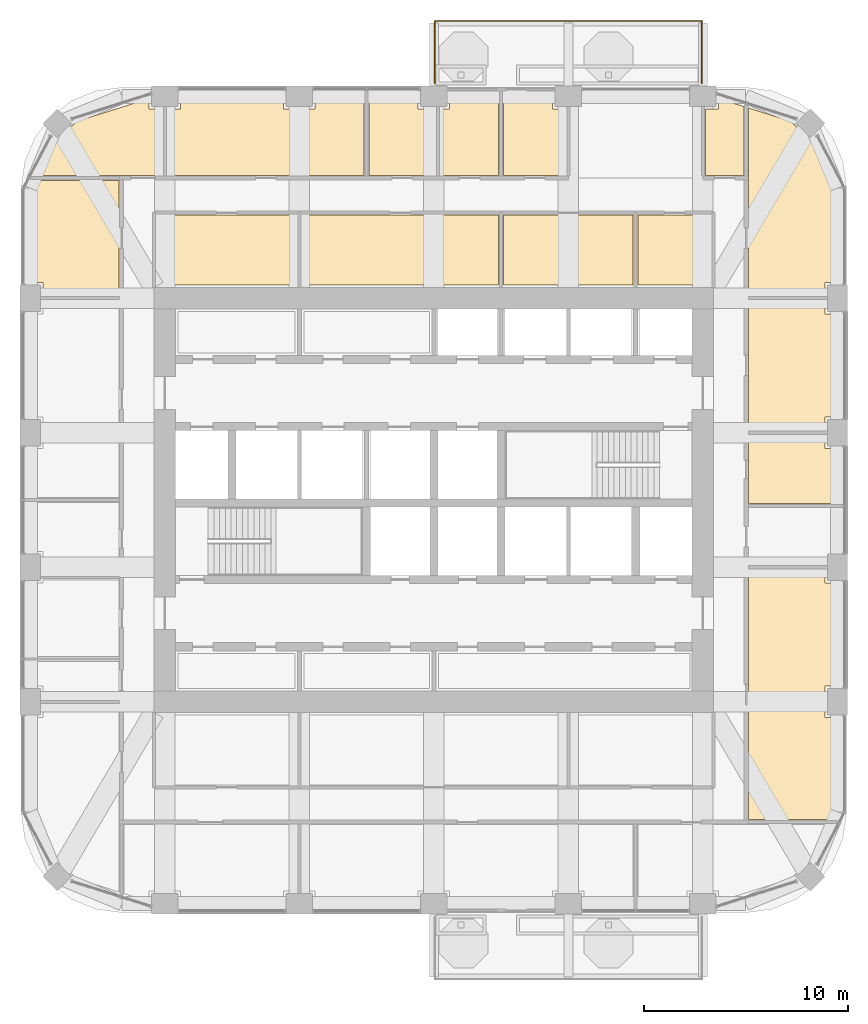
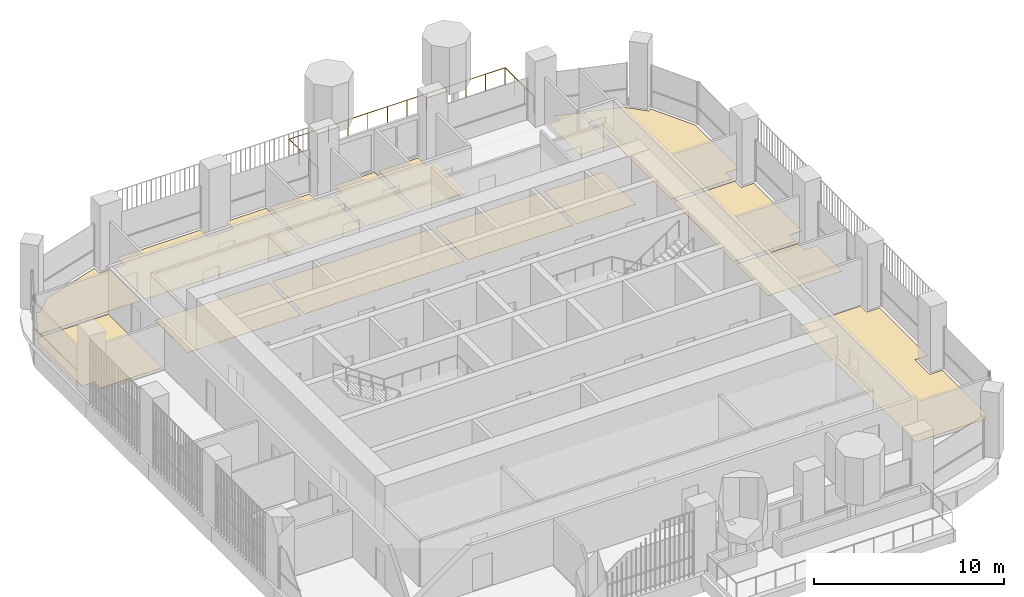
# One storey, part 20 of 21: 15 coverings, 1 railing.
"""IFC4 building model written with IfcOpenShell, lengths in metres."""

from ifc_helpers import new_model, si_unit, direction, frame, origin, place, context, subcontext, project, spatial, polyline, outline, extrude, material, layer, layer_set, type_object, element, save


model = new_model("IFC4")

# Units and contexts
model_context = context("Model", 3, precision=1e-05, world=origin(), true_north=direction((0.0, 1.0)))
body_context = subcontext(model_context, "Body", "Model", "MODEL_VIEW")
ifc_project = project(units=[si_unit("LENGTHUNIT", "METRE"), si_unit("AREAUNIT", "SQUARE_METRE"), si_unit("VOLUMEUNIT", "CUBIC_METRE"), si_unit("PLANEANGLEUNIT", "RADIAN"), si_unit("MASSUNIT", "GRAM", prefix="KILO")], contexts=[model_context])

# Site, building, storey
site_placement = place(None, origin())
site = spatial("IfcSite", under=ifc_project, at=site_placement, CompositionType="ELEMENT")
building_placement = place(site_placement, origin())
building = spatial("IfcBuilding", under=site, at=building_placement, Name="Cobogo Forest Laboratory Tower", CompositionType="ELEMENT")
storey_placement = place(building_placement, frame((0.0, 0.0, 241.800048828125)))
storey = spatial("IfcBuildingStorey", under=building, at=storey_placement, Name="L55", CompositionType="ELEMENT", Elevation=241.800048828125)

# Railing
ifc_material_1 = material(Name="Laminated glass balustrade", Category="glass")
railing_type = type_object("IfcRailingType", Name="BG1 glass balustrade 1100", PredefinedType="GUARDRAIL", material=ifc_material_1)
railing_placement = place(storey_placement, frame((26.449951171875, 43.550048828125, 0.0)))
element("IfcRailing", 1, at=railing_placement, inside=storey, type_object=railing_type, Name="Balcony balustrade BAL-N1 L55", PredefinedType="GUARDRAIL", context=body_context, shape_type="SweptSolid", body=[
    extrude(outline(polyline([(0.022216796875, 0.00927734375), (0.00927734375, 0.022216796875), (-0.00927734375, 0.022216796875), (-0.022216796875, 0.00927734375), (-0.022216796875, -0.00927734375), (-0.00927734375, -0.022216796875), (0.00927734375, -0.022216796875), (0.022216796875, -0.00927734375), (0.022216796875, 0.00927734375)])), frame((0.0, 0.0, 1.077880859375), z_axis=(0.0, 1.0, 0.0), x_axis=(-1.0, 0.0, 0.0)), (0.0, 0.0, 1.0), 3.050048828125),
    extrude(outline(polyline([(0.022216796875, 0.00927734375), (0.00927734375, 0.022216796875), (-0.00927734375, 0.022216796875), (-0.022216796875, 0.00927734375), (-0.022216796875, -0.00927734375), (-0.00927734375, -0.022216796875), (0.00927734375, -0.022216796875), (0.022216796875, -0.00927734375), (0.022216796875, 0.00927734375)])), frame((0.0, 3.050048828125, 1.077880859375), z_axis=(1.0, 0.0, 0.0), x_axis=(0.0, 1.0, 0.0)), (0.0, 0.0, 1.0), 13.10009765625),
    extrude(outline(polyline([(0.022216796875, 0.00927734375), (0.00927734375, 0.022216796875), (-0.00927734375, 0.022216796875), (-0.022216796875, 0.00927734375), (-0.022216796875, -0.00927734375), (-0.00927734375, -0.022216796875), (0.00927734375, -0.022216796875), (0.022216796875, -0.00927734375), (0.022216796875, 0.00927734375)])), frame((13.10009765625, 3.050048828125, 1.077880859375), z_axis=(0.0, -1.0, 0.0), x_axis=(1.0, 0.0, 0.0)), (0.0, 0.0, 1.0), 3.050048828125),
    extrude(outline(polyline([(0.019287109375, 0.008056640625), (0.008056640625, 0.019287109375), (-0.008056640625, 0.019287109375), (-0.019287109375, 0.008056640625), (-0.019287109375, -0.008056640625), (-0.008056640625, -0.019287109375), (0.008056640625, -0.019287109375), (0.019287109375, -0.008056640625), (0.019287109375, 0.008056640625)])), origin(), (0.0, 0.0, 1.0), 1.077880859375),
    extrude(outline(polyline([(0.019287109375, 0.008056640625), (0.008056640625, 0.019287109375), (-0.008056640625, 0.019287109375), (-0.019287109375, 0.008056640625), (-0.019287109375, -0.008056640625), (-0.008056640625, -0.019287109375), (0.008056640625, -0.019287109375), (0.019287109375, -0.008056640625), (0.019287109375, 0.008056640625)])), frame((0.0, 1.0166015625, 0.0)), (0.0, 0.0, 1.0), 1.077880859375),
    extrude(outline(polyline([(0.019287109375, 0.008056640625), (0.008056640625, 0.019287109375), (-0.008056640625, 0.019287109375), (-0.019287109375, 0.008056640625), (-0.019287109375, -0.008056640625), (-0.008056640625, -0.019287109375), (0.008056640625, -0.019287109375), (0.019287109375, -0.008056640625), (0.019287109375, 0.008056640625)])), frame((0.0, 2.033447265625, 0.0)), (0.0, 0.0, 1.0), 1.077880859375),
    extrude(outline(polyline([(0.019287109375, 0.008056640625), (0.008056640625, 0.019287109375), (-0.008056640625, 0.019287109375), (-0.019287109375, 0.008056640625), (-0.019287109375, -0.008056640625), (-0.008056640625, -0.019287109375), (0.008056640625, -0.019287109375), (0.019287109375, -0.008056640625), (0.019287109375, 0.008056640625)])), frame((0.0, 3.050048828125, 0.0)), (0.0, 0.0, 1.0), 1.077880859375),
    extrude(outline(polyline([(0.019287109375, 0.008056640625), (0.008056640625, 0.019287109375), (-0.008056640625, 0.019287109375), (-0.019287109375, 0.008056640625), (-0.019287109375, -0.008056640625), (-0.008056640625, -0.019287109375), (0.008056640625, -0.019287109375), (0.019287109375, -0.008056640625), (0.019287109375, 0.008056640625)])), frame((1.19091796875, 3.050048828125, 0.0)), (0.0, 0.0, 1.0), 1.077880859375),
    extrude(outline(polyline([(0.019287109375, 0.008056640625), (0.008056640625, 0.019287109375), (-0.008056640625, 0.019287109375), (-0.019287109375, 0.008056640625), (-0.019287109375, -0.008056640625), (-0.008056640625, -0.019287109375), (0.008056640625, -0.019287109375), (0.019287109375, -0.008056640625), (0.019287109375, 0.008056640625)])), frame((2.3818359375, 3.050048828125, 0.0)), (0.0, 0.0, 1.0), 1.077880859375),
    extrude(outline(polyline([(0.019287109375, 0.008056640625), (0.008056640625, 0.019287109375), (-0.008056640625, 0.019287109375), (-0.019287109375, 0.008056640625), (-0.019287109375, -0.008056640625), (-0.008056640625, -0.019287109375), (0.008056640625, -0.019287109375), (0.019287109375, -0.008056640625), (0.019287109375, 0.008056640625)])), frame((3.57275390625, 3.050048828125, 0.0)), (0.0, 0.0, 1.0), 1.077880859375),
    extrude(outline(polyline([(0.019287109375, 0.008056640625), (0.008056640625, 0.019287109375), (-0.008056640625, 0.019287109375), (-0.019287109375, 0.008056640625), (-0.019287109375, -0.008056640625), (-0.008056640625, -0.019287109375), (0.008056640625, -0.019287109375), (0.019287109375, -0.008056640625), (0.019287109375, 0.008056640625)])), frame((4.763671875, 3.050048828125, 0.0)), (0.0, 0.0, 1.0), 1.077880859375),
    extrude(outline(polyline([(0.019287109375, 0.008056640625), (0.008056640625, 0.019287109375), (-0.008056640625, 0.019287109375), (-0.019287109375, 0.008056640625), (-0.019287109375, -0.008056640625), (-0.008056640625, -0.019287109375), (0.008056640625, -0.019287109375), (0.019287109375, -0.008056640625), (0.019287109375, 0.008056640625)])), frame((5.95458984375, 3.050048828125, 0.0)), (0.0, 0.0, 1.0), 1.077880859375),
    extrude(outline(polyline([(0.019287109375, 0.008056640625), (0.008056640625, 0.019287109375), (-0.008056640625, 0.019287109375), (-0.019287109375, 0.008056640625), (-0.019287109375, -0.008056640625), (-0.008056640625, -0.019287109375), (0.008056640625, -0.019287109375), (0.019287109375, -0.008056640625), (0.019287109375, 0.008056640625)])), frame((7.1455078125, 3.050048828125, 0.0)), (0.0, 0.0, 1.0), 1.077880859375),
    extrude(outline(polyline([(0.019287109375, 0.008056640625), (0.008056640625, 0.019287109375), (-0.008056640625, 0.019287109375), (-0.019287109375, 0.008056640625), (-0.019287109375, -0.008056640625), (-0.008056640625, -0.019287109375), (0.008056640625, -0.019287109375), (0.019287109375, -0.008056640625), (0.019287109375, 0.008056640625)])), frame((8.33642578125, 3.050048828125, 0.0)), (0.0, 0.0, 1.0), 1.077880859375),
    extrude(outline(polyline([(0.019287109375, 0.008056640625), (0.008056640625, 0.019287109375), (-0.008056640625, 0.019287109375), (-0.019287109375, 0.008056640625), (-0.019287109375, -0.008056640625), (-0.008056640625, -0.019287109375), (0.008056640625, -0.019287109375), (0.019287109375, -0.008056640625), (0.019287109375, 0.008056640625)])), frame((9.52734375, 3.050048828125, 0.0)), (0.0, 0.0, 1.0), 1.077880859375),
    extrude(outline(polyline([(0.019287109375, 0.008056640625), (0.008056640625, 0.019287109375), (-0.008056640625, 0.019287109375), (-0.019287109375, 0.008056640625), (-0.019287109375, -0.008056640625), (-0.008056640625, -0.019287109375), (0.008056640625, -0.019287109375), (0.019287109375, -0.008056640625), (0.019287109375, 0.008056640625)])), frame((10.71826171875, 3.050048828125, 0.0)), (0.0, 0.0, 1.0), 1.077880859375),
    extrude(outline(polyline([(0.019287109375, 0.008056640625), (0.008056640625, 0.019287109375), (-0.008056640625, 0.019287109375), (-0.019287109375, 0.008056640625), (-0.019287109375, -0.008056640625), (-0.008056640625, -0.019287109375), (0.008056640625, -0.019287109375), (0.019287109375, -0.008056640625), (0.019287109375, 0.008056640625)])), frame((11.9091796875, 3.050048828125, 0.0)), (0.0, 0.0, 1.0), 1.077880859375),
    extrude(outline(polyline([(0.019287109375, 0.008056640625), (0.008056640625, 0.019287109375), (-0.008056640625, 0.019287109375), (-0.019287109375, 0.008056640625), (-0.019287109375, -0.008056640625), (-0.008056640625, -0.019287109375), (0.008056640625, -0.019287109375), (0.019287109375, -0.008056640625), (0.019287109375, 0.008056640625)])), frame((13.10009765625, 3.050048828125, 0.0)), (0.0, 0.0, 1.0), 1.077880859375),
    extrude(outline(polyline([(0.019287109375, 0.008056640625), (0.008056640625, 0.019287109375), (-0.008056640625, 0.019287109375), (-0.019287109375, 0.008056640625), (-0.019287109375, -0.008056640625), (-0.008056640625, -0.019287109375), (0.008056640625, -0.019287109375), (0.019287109375, -0.008056640625), (0.019287109375, 0.008056640625)])), frame((13.10009765625, 2.033447265625, 0.0)), (0.0, 0.0, 1.0), 1.077880859375),
    extrude(outline(polyline([(0.019287109375, 0.008056640625), (0.008056640625, 0.019287109375), (-0.008056640625, 0.019287109375), (-0.019287109375, 0.008056640625), (-0.019287109375, -0.008056640625), (-0.008056640625, -0.019287109375), (0.008056640625, -0.019287109375), (0.019287109375, -0.008056640625), (0.019287109375, 0.008056640625)])), frame((13.10009765625, 1.0166015625, 0.0)), (0.0, 0.0, 1.0), 1.077880859375),
    extrude(outline(polyline([(0.019287109375, 0.008056640625), (0.008056640625, 0.019287109375), (-0.008056640625, 0.019287109375), (-0.019287109375, 0.008056640625), (-0.019287109375, -0.008056640625), (-0.008056640625, -0.019287109375), (0.008056640625, -0.019287109375), (0.019287109375, -0.008056640625), (0.019287109375, 0.008056640625)])), frame((13.10009765625, 0.0, 0.0)), (0.0, 0.0, 1.0), 1.077880859375),
])

# Coverings
ifc_material_2 = material(Name="Carpet tile on raised access floor", Category="flooring")
ifc_layer_1 = layer(ifc_material_2, 0.008056640625)
ifc_layer_set_1 = layer_set([ifc_layer_1], Name="CT1 carpet tile floor 8")
covering_type_1 = type_object("IfcCoveringType", Name="CT1 carpet tile floor 8", PredefinedType="FLOORING", material=ifc_layer_set_1)
covering_1_placement = place(storey_placement, origin())
element("IfcCovering", 2, at=covering_1_placement, inside=storey, type_object=covering_type_1, Name="Carpet floor L55-01", PredefinedType="FLOORING", context=body_context, shape_type="SweptSolid", body=[
    extrude(outline(polyline([(19.679931640625, 33.64501953125), (12.794921875, 33.64501953125), (12.794921875, 37.080078125), (19.679931640625, 37.080078125), (19.679931640625, 33.64501953125)])), origin(), (0.0, 0.0, 1.0), 0.008056640625),
])
covering_2_placement = place(storey_placement, origin())
element("IfcCovering", 3, at=covering_2_placement, inside=storey, type_object=covering_type_1, Name="Carpet floor L55-02", PredefinedType="FLOORING", context=body_context, shape_type="SweptSolid", body=[
    extrude(outline(polyline([(29.580078125, 33.64501953125), (19.919921875, 33.64501953125), (19.919921875, 37.080078125), (29.580078125, 37.080078125), (29.580078125, 33.64501953125)])), origin(), (0.0, 0.0, 1.0), 0.008056640625),
])
covering_3_placement = place(storey_placement, origin())
element("IfcCovering", 4, at=covering_3_placement, inside=storey, type_object=covering_type_1, Name="Carpet floor L55-03", PredefinedType="FLOORING", context=body_context, shape_type="SweptSolid", body=[
    extrude(outline(polyline([(36.179931640625, 33.64501953125), (29.820068359375, 33.64501953125), (29.820068359375, 37.080078125), (36.179931640625, 37.080078125), (36.179931640625, 33.64501953125)])), origin(), (0.0, 0.0, 1.0), 0.008056640625),
])
covering_4_placement = place(storey_placement, origin())
element("IfcCovering", 5, at=covering_4_placement, inside=storey, type_object=covering_type_1, Name="Carpet floor L55-04", PredefinedType="FLOORING", context=body_context, shape_type="SweptSolid", body=[
    extrude(outline(polyline([(40.0048828125, 33.64501953125), (36.419921875, 33.64501953125), (36.419921875, 37.080078125), (40.0048828125, 37.080078125), (40.0048828125, 33.64501953125)])), origin(), (0.0, 0.0, 1.0), 0.008056640625),
])
covering_5_placement = place(storey_placement, origin())
element("IfcCovering", 6, at=covering_5_placement, inside=storey, type_object=covering_type_1, Name="Carpet floor L55-11", PredefinedType="FLOORING", context=body_context, shape_type="SweptSolid", body=[
    extrude(outline(polyline([(41.844970703125, 19.679931640625), (45.580078125, 19.679931640625), (45.580078125, 19.030029296875), (46.35009765625, 19.030029296875), (46.35009765625, 13.969970703125), (45.580078125, 13.969970703125), (45.580078125, 12.429931640625), (46.35009765625, 12.429931640625), (46.35009765625, 7.84912109375), (46.125, 7.419921875), (41.844970703125, 7.419921875), (41.844970703125, 19.679931640625)])), origin(), (0.0, 0.0, 1.0), 0.008056640625),
])
covering_6_placement = place(storey_placement, origin())
element("IfcCovering", 7, at=covering_6_placement, inside=storey, type_object=covering_type_1, Name="Carpet floor L55-14", PredefinedType="FLOORING", context=body_context, shape_type="SweptSolid", body=[
    extrude(outline(polyline([(41.844970703125, 32.8798828125), (45.580078125, 32.8798828125), (45.580078125, 32.22998046875), (46.35009765625, 32.22998046875), (46.35009765625, 27.169921875), (45.580078125, 27.169921875), (45.580078125, 26.52001953125), (41.844970703125, 26.52001953125), (41.844970703125, 32.8798828125)])), origin(), (0.0, 0.0, 1.0), 0.008056640625),
])
covering_7_placement = place(storey_placement, origin())
element("IfcCovering", 8, at=covering_7_placement, inside=storey, type_object=covering_type_1, Name="Carpet floor L55-15", PredefinedType="FLOORING", context=body_context, shape_type="SweptSolid", body=[
    extrude(outline(polyline([(41.844970703125, 42.331298828125), (44.05615234375, 41.633056640625), (44.005126953125, 41.58203125), (44.882080078125, 40.705078125), (45.035400390625, 40.858642578125), (46.35009765625, 38.350830078125), (46.35009765625, 33.77001953125), (45.580078125, 33.77001953125), (45.580078125, 33.1201171875), (41.844970703125, 33.1201171875), (41.844970703125, 42.331298828125)])), origin(), (0.0, 0.0, 1.0), 0.008056640625),
])
covering_8_placement = place(storey_placement, origin())
element("IfcCovering", 9, at=covering_8_placement, inside=storey, type_object=covering_type_1, Name="Carpet floor L55-17", PredefinedType="FLOORING", context=body_context, shape_type="SweptSolid", body=[
    extrude(outline(polyline([(13.320068359375, 39.02001953125), (13.320068359375, 42.280029296875), (13.969970703125, 42.280029296875), (13.969970703125, 43.050048828125), (19.030029296875, 43.050048828125), (19.030029296875, 42.280029296875), (20.570068359375, 42.280029296875), (20.570068359375, 43.050048828125), (22.97998046875, 43.050048828125), (22.97998046875, 39.02001953125), (13.320068359375, 39.02001953125)])), origin(), (0.0, 0.0, 1.0), 0.008056640625),
])
covering_9_placement = place(storey_placement, origin())
element("IfcCovering", 10, at=covering_9_placement, inside=storey, type_object=covering_type_1, Name="Carpet floor L55-18", PredefinedType="FLOORING", context=body_context, shape_type="SweptSolid", body=[
    extrude(outline(polyline([(23.219970703125, 39.02001953125), (23.219970703125, 43.050048828125), (25.6298828125, 43.050048828125), (25.6298828125, 42.280029296875), (26.47998046875, 42.280029296875), (26.47998046875, 39.02001953125), (23.219970703125, 39.02001953125)])), origin(), (0.0, 0.0, 1.0), 0.008056640625),
])
covering_10_placement = place(storey_placement, origin())
element("IfcCovering", 11, at=covering_10_placement, inside=storey, type_object=covering_type_1, Name="Carpet floor L55-20", PredefinedType="FLOORING", context=body_context, shape_type="SweptSolid", body=[
    extrude(outline(polyline([(29.820068359375, 39.02001953125), (29.820068359375, 43.050048828125), (32.22998046875, 43.050048828125), (32.22998046875, 42.280029296875), (32.8798828125, 42.280029296875), (32.8798828125, 39.02001953125), (29.820068359375, 39.02001953125)])), origin(), (0.0, 0.0, 1.0), 0.008056640625),
])
covering_11_placement = place(storey_placement, origin())
element("IfcCovering", 12, at=covering_11_placement, inside=storey, type_object=covering_type_1, Name="Carpet floor L55-21", PredefinedType="FLOORING", context=body_context, shape_type="SweptSolid", body=[
    extrude(outline(polyline([(39.719970703125, 39.02001953125), (39.719970703125, 42.280029296875), (40.3701171875, 42.280029296875), (40.3701171875, 42.797119140625), (41.60498046875, 42.406982421875), (41.60498046875, 39.02001953125), (39.719970703125, 39.02001953125)])), origin(), (0.0, 0.0, 1.0), 0.008056640625),
])
covering_12_placement = place(storey_placement, origin())
element("IfcCovering", 13, at=covering_12_placement, inside=storey, type_object=covering_type_1, Name="Carpet floor L55-27", PredefinedType="FLOORING", context=body_context, shape_type="SweptSolid", body=[
    extrude(outline(polyline([(10.955078125, 33.1201171875), (7.219970703125, 33.1201171875), (7.219970703125, 33.77001953125), (6.449951171875, 33.77001953125), (6.449951171875, 38.350830078125), (6.675048828125, 38.780029296875), (10.955078125, 38.780029296875), (10.955078125, 33.1201171875)])), origin(), (0.0, 0.0, 1.0), 0.008056640625),
])
ifc_material_3 = material(Name="Epoxy resin flooring", Category="flooring")
ifc_layer_2 = layer(ifc_material_3, 0.00390625)
ifc_layer_set_2 = layer_set([ifc_layer_2], Name="LF1 epoxy laboratory floor 4")
covering_type_2 = type_object("IfcCoveringType", Name="LF1 epoxy laboratory floor 4", PredefinedType="FLOORING", material=ifc_layer_set_2)
covering_13_placement = place(storey_placement, origin())
element("IfcCovering", 14, at=covering_13_placement, inside=storey, type_object=covering_type_2, Name="Epoxy laboratory floor L55-16", PredefinedType="FLOORING", context=body_context, shape_type="SweptSolid", body=[
    extrude(outline(polyline([(6.80078125, 39.02001953125), (7.7646484375, 40.858642578125), (7.91796875, 40.705078125), (8.794921875, 41.58203125), (8.743896484375, 41.633056640625), (12.429931640625, 42.797119140625), (12.429931640625, 42.280029296875), (13.080078125, 42.280029296875), (13.080078125, 39.02001953125), (6.80078125, 39.02001953125)])), origin(), (0.0, 0.0, 1.0), 0.00390625),
])
ifc_material_4 = material(Name="Static-dissipative vinyl flooring", Category="flooring")
ifc_layer_3 = layer(ifc_material_4, 0.0029296875)
ifc_layer_set_3 = layer_set([ifc_layer_3], Name="SD1 static-dissipative vinyl floor 3")
covering_type_3 = type_object("IfcCoveringType", Name="SD1 static-dissipative vinyl floor 3", PredefinedType="FLOORING", material=ifc_layer_set_3)
covering_14_placement = place(storey_placement, origin())
element("IfcCovering", 15, at=covering_14_placement, inside=storey, type_object=covering_type_3, Name="Static-dissipative floor L55-13", PredefinedType="FLOORING", context=body_context, shape_type="SweptSolid", body=[
    extrude(outline(polyline([(41.844970703125, 26.280029296875), (45.580078125, 26.280029296875), (45.580078125, 25.6298828125), (46.35009765625, 25.6298828125), (46.35009765625, 22.919921875), (41.844970703125, 22.919921875), (41.844970703125, 26.280029296875)])), origin(), (0.0, 0.0, 1.0), 0.0029296875),
])
ifc_material_5 = material(Name="Ceramic floor tile", Category="flooring")
ifc_layer_4 = layer(ifc_material_5, 0.010009765625)
ifc_layer_set_4 = layer_set([ifc_layer_4], Name="TF1 ceramic tile floor 10")
covering_type_4 = type_object("IfcCoveringType", Name="TF1 ceramic tile floor 10", PredefinedType="FLOORING", material=ifc_layer_set_4)
covering_15_placement = place(storey_placement, origin())
element("IfcCovering", 16, at=covering_15_placement, inside=storey, type_object=covering_type_4, Name="Tile floor L55-19", PredefinedType="FLOORING", context=body_context, shape_type="SweptSolid", body=[
    extrude(outline(polyline([(26.719970703125, 39.02001953125), (26.719970703125, 42.280029296875), (27.169921875, 42.280029296875), (27.169921875, 43.050048828125), (29.580078125, 43.050048828125), (29.580078125, 39.02001953125), (26.719970703125, 39.02001953125)])), origin(), (0.0, 0.0, 1.0), 0.010009765625),
])

save(model, "model.ifc")
